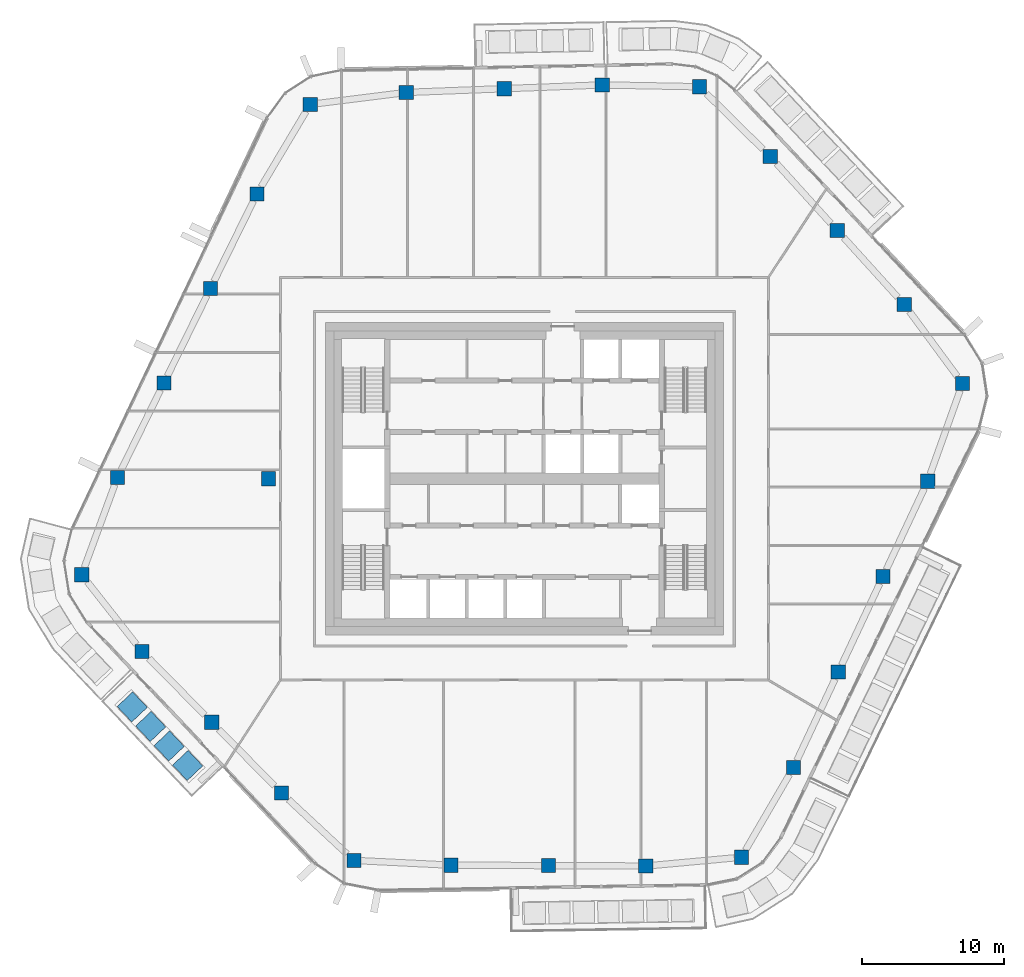
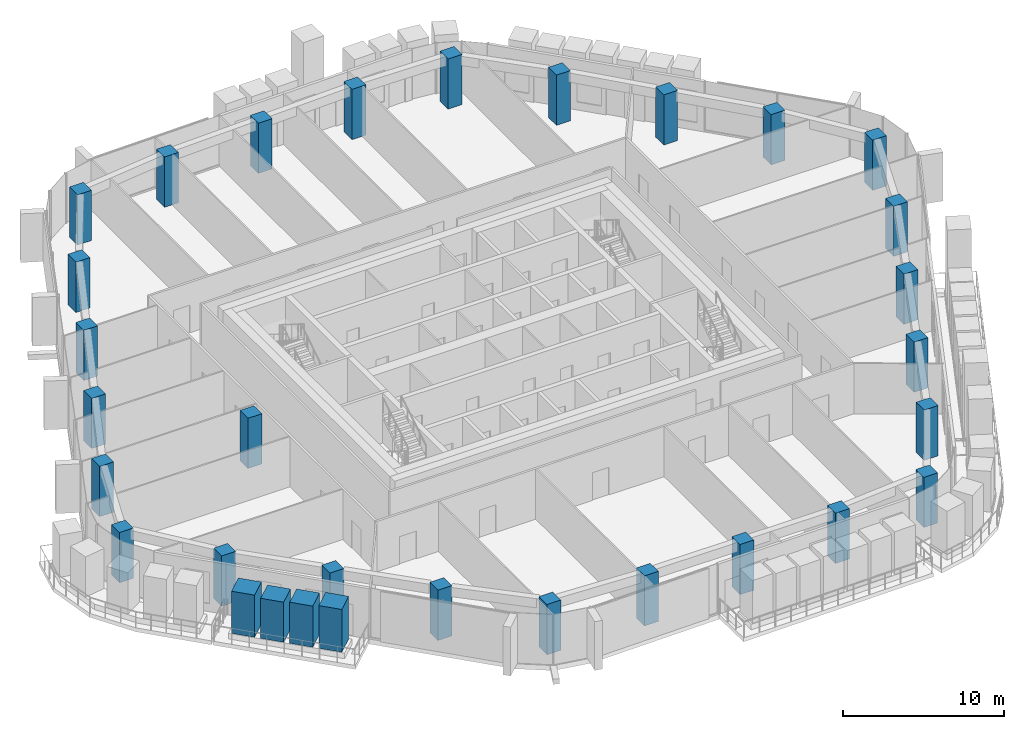
# One storey, part 1 of 24: 27 columns, 4 members.
"""IFC4 building model written with IfcOpenShell, lengths in metres."""

from ifc_helpers import new_model, si_unit, direction, frame, origin, origin_2d, place, context, subcontext, project, spatial, rectangle, extrude, material, material_profile, profile_set, type_object, element, save


model = new_model("IFC4")

# Units and contexts
model_context = context("Model", 3, precision=1e-05, world=origin(), true_north=direction((0.0, 1.0)))
body_context = subcontext(model_context, "Body", "Model", "MODEL_VIEW")
ifc_project = project(units=[si_unit("LENGTHUNIT", "METRE"), si_unit("AREAUNIT", "SQUARE_METRE"), si_unit("VOLUMEUNIT", "CUBIC_METRE"), si_unit("PLANEANGLEUNIT", "RADIAN"), si_unit("MASSUNIT", "GRAM", prefix="KILO")], contexts=[model_context])

# Site, building, storey
site_placement = place(None, origin())
site = spatial("IfcSite", under=ifc_project, at=site_placement, CompositionType="ELEMENT")
building_placement = place(site_placement, origin())
building = spatial("IfcBuilding", under=site, at=building_placement, Name="Dongbaek Canopy Tower", CompositionType="ELEMENT")
storey_placement = place(building_placement, frame((0.0, 0.0, 302.60009765625)))
storey = spatial("IfcBuildingStorey", under=building, at=storey_placement, Name="L64", CompositionType="ELEMENT", Elevation=302.60009765625)

# Columns
ifc_material_1 = material(Name="Concrete C60", Category="concrete")
ifc_material_profile_1 = material_profile(ifc_material_1, rectangle(XDim=1.0, YDim=1.0, at=origin_2d()), Name="RC COLUMN 1000x1000 C60")
ifc_profile_set_1 = profile_set([ifc_material_profile_1], Name="Concrete C60")
column_type = type_object("IfcColumnType", Name="RC COLUMN 1000x1000 C60", PredefinedType="COLUMN", material=ifc_profile_set_1)
for number, where, z_axis, x_axis, name in (
    (1, (15.251953125, -26.60693359375, 0.0), (0.0, 0.0, 1.0), (1.0, 0.0, 0.0), "COL:CZ5-01:L64"),
    (2, (8.533935546875, -27.22705078125, 0.0), (0.0, 0.0, 1.0), (1.0, 0.0, 0.0), "COL:CZ5-02:L64"),
    (3, (1.68310546875, -27.197021484375, 0.0), (0.0, 0.0, 1.0), (1.0, 0.0, 0.0), "COL:CZ5-03:L64"),
    (4, (-5.166015625, -27.1669921875, 0.0), (0.0, 0.0, 1.0), (1.0, 0.0, 0.0), "COL:CZ5-04:L64"),
    (5, (-11.985107421875, -26.8310546875, 0.0), (0.0, 0.0, 1.0), (1.0, 0.0, 0.0), "COL:CZ5-05:L64"),
    (6, (-17.083984375, -22.089111328125, 0.0), (0.0, 0.0, 1.0), (1.0, 0.0, 0.0), "COL:CZ5-06:L64"),
    (7, (-21.986083984375, -17.112060546875, 0.0), (0.0, 0.0, 1.0), (1.0, 0.0, 0.0), "COL:CZ5-07:L64"),
    (8, (-26.888916015625, -12.134033203125, 0.0), (0.0, 0.0, 1.0), (1.0, 0.0, 0.0), "COL:CZ5-08:L64"),
    (9, (-31.12890625, -6.7451171875, 0.0), (0.0, 0.0, 1.0), (1.0, 0.0, 0.0), "COL:CZ5-09:L64"),
    (10, (-28.616943359375, 0.0859375, 0.0), (0.0, 0.0, 1.0), (1.0, 0.0, 0.0), "COL:CZ5-10:L64"),
    (11, (-25.346923828125, 6.735107421875, 0.0), (0.0, 0.0, 1.0), (1.0, 0.0, 0.0), "COL:CZ5-11:L64"),
    (12, (-22.075927734375, 13.384033203125, 0.0), (0.0, 0.0, 1.0), (1.0, 0.0, 0.0), "COL:CZ5-12:L64"),
    (13, (-18.805908203125, 20.031982421875, 0.0), (0.0, 0.0, 1.0), (1.0, 0.0, 0.0), "COL:CZ5-13:L64"),
    (14, (-15.06201171875, 26.321044921875, 0.0), (0.0, 0.0, 1.0), (1.0, 0.0, 0.0), "COL:CZ5-14:L64"),
    (15, (-8.30908203125, 27.1640625, 0.0), (0.0, 0.0, 1.0), (1.0, 0.0, 0.0), "COL:CZ5-15:L64"),
    (16, (-1.41796875, 27.427978515625, 0.0), (0.0, 0.0, 1.0), (1.0, 0.0, 0.0), "COL:CZ5-16:L64"),
    (17, (5.470947265625, 27.69189453125, 0.0), (0.0, 0.0, 1.0), (1.0, 0.0, 0.0), "COL:CZ5-17:L64"),
    (18, (12.31396484375, 27.56298828125, 0.0), (0.0, 0.0, 1.0), (1.0, 0.0, 0.0), "COL:CZ5-18:L64"),
    (19, (17.27587890625, 22.666015625, 0.0), (0.0, 0.0, 1.0), (1.0, 0.0, 0.0), "COL:CZ5-19:L64"),
    (20, (21.989990234375, 17.4619140625, 0.0), (0.0, 0.0, 1.0), (1.0, 0.0, 0.0), "COL:CZ5-20:L64"),
    (21, (26.702880859375, 12.257080078125, 0.0), (0.0, 0.0, 1.0), (1.0, 0.0, 0.0), "COL:CZ5-21:L64"),
    (22, (30.804931640625, 6.697998046875, 0.0), (0.0, 0.0, 1.0), (1.0, 0.0, 0.0), "COL:CZ5-22:L64"),
    (23, (28.35107421875, -0.169921875, 0.0), (0.0, 0.0, 1.0), (1.0, 0.0, 0.0), "COL:CZ5-23:L64"),
    (24, (25.2099609375, -6.87890625, 0.0), (0.0, 0.0, 1.0), (1.0, 0.0, 0.0), "COL:CZ5-24:L64"),
    (25, (22.068115234375, -13.587890625, 0.0), (0.0, 0.0, 1.0), (1.0, 0.0, 0.0), "COL:CZ5-25:L64"),
    (26, (18.925048828125, -20.2958984375, 0.0), (0.0, 0.0, 1.0), (1.0, 0.0, 0.0), "COL:CZ5-26:L64"),
    (27, (-18.0, 0.0, 0.0), (0.0, 0.0, 1.0), (1.0, 0.0, 0.0), "COL:CIZ5-01:L64"),
):
    element("IfcColumn", number, at=place(storey_placement, frame(where, z_axis=z_axis, x_axis=x_axis)), inside=storey, type_object=column_type, Name=name, PredefinedType="COLUMN", context=body_context, shape_type="SweptSolid", body=[
        extrude(rectangle(XDim=1.0, YDim=1.0, at=origin_2d()), origin(), (0.0, 0.0, 1.0), 3.81982421875),
    ])

# Members
ifc_material_2 = material(Name="Concrete C40/50 planter mass with planting", Category="concrete")
ifc_material_profile_2 = material_profile(ifc_material_2, rectangle(XDim=1.5, YDim=1.5, at=origin_2d()), Name="Terrace PLANTER shrub mass 1500 x 1500")
ifc_profile_set_2 = profile_set([ifc_material_profile_2], Name="Concrete C40/50 planter mass with planting")
member_type = type_object("IfcMemberType", Name="Terrace PLANTER shrub mass 1500 x 1500", PredefinedType="USERDEFINED", material=ifc_profile_set_2)
member_1_placement = place(storey_placement, frame((-27.575439453125, -16.041259765625, 0.419921875), z_axis=(0.0, 0.0, 1.0), x_axis=(-0.72635486076, -0.687319879132, 0.0)))
element("IfcMember", 28, at=member_1_placement, inside=storey, type_object=member_type, Name="Planter shrubs L64 3.1", ObjectType="PLANTER", PredefinedType="USERDEFINED", context=body_context, shape_type="SweptSolid", body=[
    extrude(rectangle(XDim=1.5, YDim=1.5, at=origin_2d()), origin(), (0.0, 0.0, 1.0), 3.2099609375),
])
member_2_placement = place(storey_placement, frame((-26.2763671875, -17.4140625, 0.419921875), z_axis=(0.0, 0.0, 1.0), x_axis=(-0.72635486076, -0.687319879132, 0.0)))
element("IfcMember", 29, at=member_2_placement, inside=storey, type_object=member_type, Name="Planter shrubs L64 3.2", ObjectType="PLANTER", PredefinedType="USERDEFINED", context=body_context, shape_type="SweptSolid", body=[
    extrude(rectangle(XDim=1.5, YDim=1.5, at=origin_2d()), origin(), (0.0, 0.0, 1.0), 3.050048828125),
])
member_3_placement = place(storey_placement, frame((-24.977294921875, -18.786865234375, 0.419921875), z_axis=(0.0, 0.0, 1.0), x_axis=(-0.72635486076, -0.687319879132, 0.0)))
element("IfcMember", 30, at=member_3_placement, inside=storey, type_object=member_type, Name="Planter shrubs L64 3.3", ObjectType="PLANTER", PredefinedType="USERDEFINED", context=body_context, shape_type="SweptSolid", body=[
    extrude(rectangle(XDim=1.5, YDim=1.5, at=origin_2d()), origin(), (0.0, 0.0, 1.0), 3.1298828125),
])
member_4_placement = place(storey_placement, frame((-23.67822265625, -20.15966796875, 0.419921875), z_axis=(0.0, 0.0, 1.0), x_axis=(-0.72635486076, -0.687319879132, 0.0)))
element("IfcMember", 31, at=member_4_placement, inside=storey, type_object=member_type, Name="Planter shrubs L64 3.4", ObjectType="PLANTER", PredefinedType="USERDEFINED", context=body_context, shape_type="SweptSolid", body=[
    extrude(rectangle(XDim=1.5, YDim=1.5, at=origin_2d()), origin(), (0.0, 0.0, 1.0), 3.25),
])

save(model, "model.ifc")
